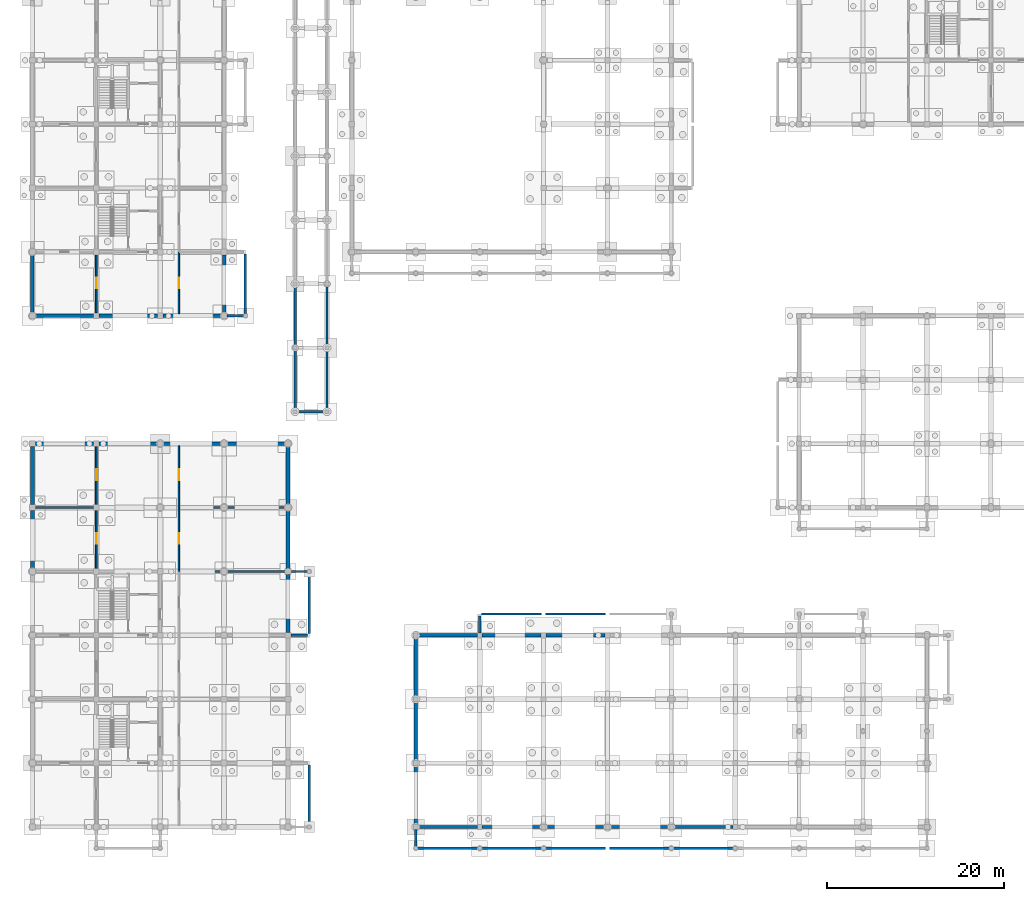
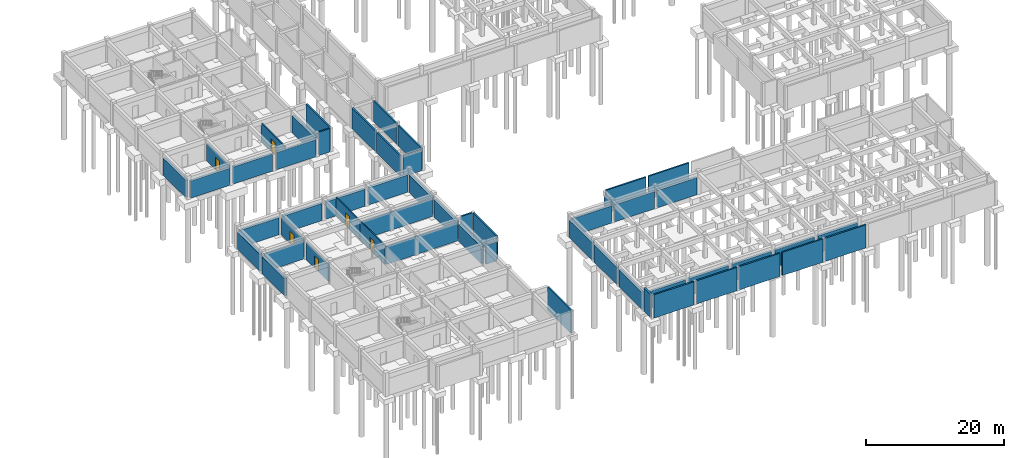
# One storey, part 25 of 38: 54 walls, 6 doors, 6 openings.
"""IFC4 building model written with IfcOpenShell, lengths in metres."""

from ifc_helpers import new_model, si_unit, direction, frame, frame_2d, origin, place, context, subcontext, project, spatial, rectangle, extrude, material, layer, layer_set, type_object, element, fill, save


model = new_model("IFC4")

# Units and contexts
model_context = context("Model", 3, precision=1e-05, world=origin(), true_north=direction((0.0, 1.0)))
body_context = subcontext(model_context, "Body", "Model", "MODEL_VIEW")
ifc_project = project(units=[si_unit("LENGTHUNIT", "METRE"), si_unit("AREAUNIT", "SQUARE_METRE"), si_unit("VOLUMEUNIT", "CUBIC_METRE"), si_unit("PLANEANGLEUNIT", "RADIAN"), si_unit("MASSUNIT", "GRAM", prefix="KILO"), si_unit("THERMODYNAMICTEMPERATUREUNIT", "KELVIN"), si_unit("POWERUNIT", "WATT")], contexts=[model_context])

# Site, building, storey
site_placement = place(None, origin())
site = spatial("IfcSite", under=ifc_project, at=site_placement, CompositionType="ELEMENT")
building_placement = place(site_placement, origin())
building = spatial("IfcBuilding", under=site, at=building_placement, Name="Tavuni Mirador Residences", CompositionType="ELEMENT")
storey_placement = place(building_placement, frame((0.0, 0.0, -4.199951171875)))
storey = spatial("IfcBuildingStorey", under=building, at=storey_placement, Name="B1", CompositionType="ELEMENT", Elevation=-4.199951171875)

# Wall, opening, door
ifc_material_1 = material(Name="Precast concrete C40/50", Category="concrete")
ifc_layer_1 = layer(ifc_material_1, 0.18505859375, Name="Precast concrete C40/50", Category="concrete")
ifc_layer_set_1 = layer_set([ifc_layer_1], Name="Precast concrete C40/50")
wall_type_1 = type_object("IfcWallType", Name="WT-CORR185", PredefinedType="PARTITIONING", material=ifc_layer_set_1)
wall_1_placement = place(storey_placement, frame((20.10009765625, 36.02001953125, 0.0), z_axis=(0.0, 0.0, 1.0), x_axis=(0.0, 1.0, 0.0)))
wall_1 = element("IfcWall", 1, at=wall_1_placement, inside=storey, type_object=wall_type_1, Name="CORW-BLK-A-B1-0-04", PredefinedType="PARTITIONING", context=body_context, shape_type="SweptSolid", body=[
    extrude(rectangle(XDim=7.159912109375, YDim=0.18505859375, at=frame_2d((3.580078125, 0.0))), origin(), (0.0, 0.0, 1.0), 3.31494140625),
])
opening_1_placement = place(wall_1_placement, frame((3.080078125, 0.0, 0.0)))
opening_1 = element("IfcOpeningElement", 2, at=opening_1_placement, cuts=wall_1, Name="Opening D-18", PredefinedType="OPENING", context=body_context, shape_type="SweptSolid", body=[
    extrude(rectangle(XDim=1.199951171875, YDim=2.199951171875, at=frame_2d((0.60009765625, 1.10009765625))), frame((0.0, 0.1025390625, 0.0), z_axis=(0.0, -1.0, 0.0), x_axis=(1.0, 0.0, 0.0)), (0.0, 0.0, 1.0), 0.205078125),
])
ifc_material_2 = material(Name="Structural steel S355", Category="steel")
door_type = type_object("IfcDoorType", Name="DT-PLT1200", OperationType="NOTDEFINED", PredefinedType="DOOR", material=ifc_material_2)
door_1_placement = place(opening_1_placement, origin())
door_1 = element("IfcDoor", 3, at=door_1_placement, inside=storey, type_object=door_type, Name="DR-2377", OperationType="SINGLE_SWING_RIGHT", OverallHeight=2.199951171875, OverallWidth=1.199951171875, PredefinedType="DOOR", context=body_context, shape_type="SweptSolid", body=[
    extrude(rectangle(XDim=1.199951171875, YDim=2.199951171875, at=frame_2d((0.60009765625, 1.10009765625))), frame((0.0, 0.02490234375, 0.0), z_axis=(0.0, -1.0, 0.0), x_axis=(1.0, 0.0, 0.0)), (0.0, 0.0, 1.0), 0.050048828125),
])
fill(opening_1, door_1)

wall_2_placement = place(storey_placement, frame((20.10009765625, 43.219970703125, 0.0), z_axis=(0.0, 0.0, 1.0), x_axis=(0.0, 1.0, 0.0)))
wall_2 = element("IfcWall", 4, at=wall_2_placement, inside=storey, type_object=wall_type_1, Name="CORW-BLK-A-B1-0-05", PredefinedType="PARTITIONING", context=body_context, shape_type="SweptSolid", body=[
    extrude(rectangle(XDim=6.965087890625, YDim=0.18505859375, at=frame_2d((3.482421875, 0.0))), origin(), (0.0, 0.0, 1.0), 3.31494140625),
])
opening_2_placement = place(wall_2_placement, frame((3.080078125, 0.0, 0.0)))
opening_2 = element("IfcOpeningElement", 5, at=opening_2_placement, cuts=wall_2, Name="Opening D-18", PredefinedType="OPENING", context=body_context, shape_type="SweptSolid", body=[
    extrude(rectangle(XDim=1.199951171875, YDim=2.199951171875, at=frame_2d((0.60009765625, 1.10009765625))), frame((0.0, 0.1025390625, 0.0), z_axis=(0.0, -1.0, 0.0), x_axis=(1.0, 0.0, 0.0)), (0.0, 0.0, 1.0), 0.205078125),
])
door_2_placement = place(opening_2_placement, origin())
door_2 = element("IfcDoor", 6, at=door_2_placement, inside=storey, type_object=door_type, Name="DR-2378", OperationType="SINGLE_SWING_LEFT", OverallHeight=2.199951171875, OverallWidth=1.199951171875, PredefinedType="DOOR", context=body_context, shape_type="SweptSolid", body=[
    extrude(rectangle(XDim=1.199951171875, YDim=2.199951171875, at=frame_2d((0.60009765625, 1.10009765625))), frame((0.0, 0.02490234375, 0.0), z_axis=(0.0, -1.0, 0.0), x_axis=(1.0, 0.0, 0.0)), (0.0, 0.0, 1.0), 0.050048828125),
])
fill(opening_2, door_2)

wall_3_placement = place(storey_placement, frame((10.800048828125, 36.35009765625, 0.0), z_axis=(0.0, 0.0, 1.0), x_axis=(0.0, 1.0, 0.0)))
wall_3 = element("IfcWall", 7, at=wall_3_placement, inside=storey, type_object=wall_type_1, Name="CORW-BLK-A-B1-1-04", PredefinedType="PARTITIONING", context=body_context, shape_type="SweptSolid", body=[
    extrude(rectangle(XDim=6.5, YDim=0.18505859375, at=frame_2d((3.25, 0.0))), origin(), (0.0, 0.0, 1.0), 3.079833984375),
])
opening_3_placement = place(wall_3_placement, frame((2.75, 0.0, 0.0)))
opening_3 = element("IfcOpeningElement", 8, at=opening_3_placement, cuts=wall_3, Name="Opening D-18", PredefinedType="OPENING", context=body_context, shape_type="SweptSolid", body=[
    extrude(rectangle(XDim=1.199951171875, YDim=2.199951171875, at=frame_2d((0.60009765625, 1.10009765625))), frame((0.0, 0.1025390625, 0.0), z_axis=(0.0, -1.0, 0.0), x_axis=(1.0, 0.0, 0.0)), (0.0, 0.0, 1.0), 0.205078125),
])
door_3_placement = place(opening_3_placement, origin())
door_3 = element("IfcDoor", 9, at=door_3_placement, inside=storey, type_object=door_type, Name="DR-2381", OperationType="SINGLE_SWING_RIGHT", OverallHeight=2.199951171875, OverallWidth=1.199951171875, PredefinedType="DOOR", context=body_context, shape_type="SweptSolid", body=[
    extrude(rectangle(XDim=1.199951171875, YDim=2.199951171875, at=frame_2d((0.60009765625, 1.10009765625))), frame((0.0, 0.02490234375, 0.0), z_axis=(0.0, -1.0, 0.0), x_axis=(1.0, 0.0, 0.0)), (0.0, 0.0, 1.0), 0.050048828125),
])
fill(opening_3, door_3)

wall_4_placement = place(storey_placement, frame((10.800048828125, 43.550048828125, 0.0), z_axis=(0.0, 0.0, 1.0), x_axis=(0.0, 1.0, 0.0)))
wall_4 = element("IfcWall", 10, at=wall_4_placement, inside=storey, type_object=wall_type_1, Name="CORW-BLK-A-B1-1-05", PredefinedType="PARTITIONING", context=body_context, shape_type="SweptSolid", body=[
    extrude(rectangle(XDim=6.5, YDim=0.18505859375, at=frame_2d((3.25, 0.0))), origin(), (0.0, 0.0, 1.0), 3.079833984375),
])
opening_4_placement = place(wall_4_placement, frame((2.75, 0.0, 0.0)))
opening_4 = element("IfcOpeningElement", 11, at=opening_4_placement, cuts=wall_4, Name="Opening D-18", PredefinedType="OPENING", context=body_context, shape_type="SweptSolid", body=[
    extrude(rectangle(XDim=1.199951171875, YDim=2.199951171875, at=frame_2d((0.60009765625, 1.10009765625))), frame((0.0, 0.1025390625, 0.0), z_axis=(0.0, -1.0, 0.0), x_axis=(1.0, 0.0, 0.0)), (0.0, 0.0, 1.0), 0.205078125),
])
door_4_placement = place(opening_4_placement, origin())
door_4 = element("IfcDoor", 12, at=door_4_placement, inside=storey, type_object=door_type, Name="DR-2382", OperationType="SINGLE_SWING_LEFT", OverallHeight=2.199951171875, OverallWidth=1.199951171875, PredefinedType="DOOR", context=body_context, shape_type="SweptSolid", body=[
    extrude(rectangle(XDim=1.199951171875, YDim=2.199951171875, at=frame_2d((0.60009765625, 1.10009765625))), frame((0.0, 0.02490234375, 0.0), z_axis=(0.0, -1.0, 0.0), x_axis=(1.0, 0.0, 0.0)), (0.0, 0.0, 1.0), 0.050048828125),
])
fill(opening_4, door_4)

wall_5_placement = place(storey_placement, frame((20.10009765625, 65.014892578125, 0.0), z_axis=(0.0, 0.0, 1.0), x_axis=(0.0, 1.0, 0.0)))
wall_5 = element("IfcWall", 13, at=wall_5_placement, inside=storey, type_object=wall_type_1, Name="CORW-BLK-B-B1-0-00", PredefinedType="PARTITIONING", context=body_context, shape_type="SweptSolid", body=[
    extrude(rectangle(XDim=6.965087890625, YDim=0.18505859375, at=frame_2d((3.482421875, 0.0))), origin(), (0.0, 0.0, 1.0), 3.31494140625),
])
opening_5_placement = place(wall_5_placement, frame((2.885009765625, 0.0, 0.0)))
opening_5 = element("IfcOpeningElement", 14, at=opening_5_placement, cuts=wall_5, Name="Opening D-18", PredefinedType="OPENING", context=body_context, shape_type="SweptSolid", body=[
    extrude(rectangle(XDim=1.199951171875, YDim=2.199951171875, at=frame_2d((0.60009765625, 1.10009765625))), frame((0.0, 0.1025390625, 0.0), z_axis=(0.0, -1.0, 0.0), x_axis=(1.0, 0.0, 0.0)), (0.0, 0.0, 1.0), 0.205078125),
])
door_5_placement = place(opening_5_placement, origin())
door_5 = element("IfcDoor", 15, at=door_5_placement, inside=storey, type_object=door_type, Name="DR-2521", OperationType="SINGLE_SWING_RIGHT", OverallHeight=2.199951171875, OverallWidth=1.199951171875, PredefinedType="DOOR", context=body_context, shape_type="SweptSolid", body=[
    extrude(rectangle(XDim=1.199951171875, YDim=2.199951171875, at=frame_2d((0.60009765625, 1.10009765625))), frame((0.0, 0.02490234375, 0.0), z_axis=(0.0, -1.0, 0.0), x_axis=(1.0, 0.0, 0.0)), (0.0, 0.0, 1.0), 0.050048828125),
])
fill(opening_5, door_5)

wall_6_placement = place(storey_placement, frame((10.800048828125, 65.14990234375, 0.0), z_axis=(0.0, 0.0, 1.0), x_axis=(0.0, 1.0, 0.0)))
wall_6 = element("IfcWall", 16, at=wall_6_placement, inside=storey, type_object=wall_type_1, Name="CORW-BLK-B-B1-1-00", PredefinedType="PARTITIONING", context=body_context, shape_type="SweptSolid", body=[
    extrude(rectangle(XDim=6.5, YDim=0.18505859375, at=frame_2d((3.25, 0.0))), origin(), (0.0, 0.0, 1.0), 3.079833984375),
])
opening_6_placement = place(wall_6_placement, frame((2.75, 0.0, 0.0)))
opening_6 = element("IfcOpeningElement", 17, at=opening_6_placement, cuts=wall_6, Name="Opening D-18", PredefinedType="OPENING", context=body_context, shape_type="SweptSolid", body=[
    extrude(rectangle(XDim=1.199951171875, YDim=2.199951171875, at=frame_2d((0.60009765625, 1.10009765625))), frame((0.0, 0.1025390625, 0.0), z_axis=(0.0, -1.0, 0.0), x_axis=(1.0, 0.0, 0.0)), (0.0, 0.0, 1.0), 0.205078125),
])
door_6_placement = place(opening_6_placement, origin())
door_6 = element("IfcDoor", 18, at=door_6_placement, inside=storey, type_object=door_type, Name="DR-2526", OperationType="SINGLE_SWING_LEFT", OverallHeight=2.199951171875, OverallWidth=1.199951171875, PredefinedType="DOOR", context=body_context, shape_type="SweptSolid", body=[
    extrude(rectangle(XDim=1.199951171875, YDim=2.199951171875, at=frame_2d((0.60009765625, 1.10009765625))), frame((0.0, 0.02490234375, 0.0), z_axis=(0.0, -1.0, 0.0), x_axis=(1.0, 0.0, 0.0)), (0.0, 0.0, 1.0), 0.050048828125),
])
fill(opening_6, door_6)

# Walls
ifc_material_3 = material(Name="In-situ concrete C35/45", Category="concrete")
ifc_layer_2 = layer(ifc_material_3, 0.3798828125, Name="In-situ concrete C35/45", Category="concrete")
ifc_layer_set_2 = layer_set([ifc_layer_2], Name="In-situ concrete C35/45")
wall_type_2 = type_object("IfcWallType", Name="WT-RET380", PredefinedType="USERDEFINED", material=ifc_layer_set_2)
for number, where, z_axis, x_axis, name in (
    (19, (47.074951171875, 7.199951171875, 0.0), (0.0, 0.0, 1.0), (1.0, 0.0, 0.0), "RET-PAV-SHOP-S-00"),
    (20, (53.72509765625, 28.800048828125, 0.0), (0.0, 0.0, 1.0), (-1.0, 0.0, 0.0), "RET-PAV-SHOP-N-00"),
    (21, (54.27490234375, 7.199951171875, 0.0), (0.0, 0.0, 1.0), (1.0, 0.0, 0.0), "RET-PAV-SHOP-S-01"),
    (22, (60.925048828125, 28.800048828125, 0.0), (0.0, 0.0, 1.0), (-1.0, 0.0, 0.0), "RET-PAV-SHOP-N-01"),
):
    element("IfcWall", number, at=place(storey_placement, frame(where, z_axis=z_axis, x_axis=x_axis)), inside=storey, type_object=wall_type_2, Name=name, ObjectType="RETAINING WALL", PredefinedType="USERDEFINED", context=body_context, shape_type="SweptSolid", body=[
        extrude(rectangle(XDim=6.650146484375, YDim=0.3798828125, at=frame_2d((3.3251953125, 0.0))), origin(), (0.0, 0.0, 1.0), 3.050048828125),
    ])
for number, where, z_axis, x_axis, name in (
    (23, (61.47509765625, 7.199951171875, 0.0), (0.0, 0.0, 1.0), (1.0, 0.0, 0.0), "RET-PAV-SHOP-S-02"),
    (24, (68.125, 28.800048828125, 0.0), (0.0, 0.0, 1.0), (-1.0, 0.0, 0.0), "RET-PAV-SHOP-N-02"),
    (25, (68.675048828125, 7.199951171875, 0.0), (0.0, 0.0, 1.0), (1.0, 0.0, 0.0), "RET-PAV-SHOP-S-03"),
    (26, (75.875, 7.199951171875, 0.0), (0.0, 0.0, 1.0), (1.0, 0.0, 0.0), "RET-PAV-SHOP-S-04"),
    (27, (46.800048828125, 14.125, 0.0), (0.0, 0.0, 1.0), (0.0, -1.0, 0.0), "RET-PAV-SHOP-W-00"),
    (28, (46.800048828125, 21.324951171875, 0.0), (0.0, 0.0, 1.0), (0.0, -1.0, 0.0), "RET-PAV-SHOP-W-01"),
    (29, (46.800048828125, 28.52490234375, 0.0), (0.0, 0.0, 1.0), (0.0, -1.0, 0.0), "RET-PAV-SHOP-W-02"),
):
    element("IfcWall", number, at=place(storey_placement, frame(where, z_axis=z_axis, x_axis=x_axis)), inside=storey, type_object=wall_type_2, Name=name, ObjectType="RETAINING WALL", PredefinedType="USERDEFINED", context=body_context, shape_type="SweptSolid", body=[
        extrude(rectangle(XDim=6.64990234375, YDim=0.3798828125, at=frame_2d((3.324951171875, 0.0))), origin(), (0.0, 0.0, 1.0), 3.050048828125),
    ])
for number, where, z_axis, x_axis, name in (
    (30, (3.925048828125, 64.800048828125, 0.0), (0.0, 0.0, 1.0), (1.0, 0.0, 0.0), "RET-BLK-B-S-00"),
    (31, (11.125, 64.800048828125, 0.0), (0.0, 0.0, 1.0), (1.0, 0.0, 0.0), "RET-BLK-B-S-01"),
    (32, (18.324951171875, 64.800048828125, 0.0), (0.0, 0.0, 1.0), (1.0, 0.0, 0.0), "RET-BLK-B-S-02"),
    (33, (25.199951171875, 65.125, 0.0), (0.0, 0.0, 1.0), (0.0, 1.0, 0.0), "RET-BLK-B-E-00"),
    (34, (3.60009765625, 71.675048828125, 0.0), (0.0, 0.0, 1.0), (0.0, -1.0, 0.0), "RET-BLK-B-W-00"),
):
    element("IfcWall", number, at=place(storey_placement, frame(where, z_axis=z_axis, x_axis=x_axis)), inside=storey, type_object=wall_type_2, Name=name, ObjectType="RETAINING WALL", PredefinedType="USERDEFINED", context=body_context, shape_type="SweptSolid", body=[
        extrude(rectangle(XDim=6.550048828125, YDim=0.3798828125, at=frame_2d((3.27490234375, 0.0))), origin(), (0.0, 0.0, 1.0), 3.030029296875),
    ])
ifc_layer_3 = layer(ifc_material_3, 0.419921875, Name="In-situ concrete C35/45", Category="concrete")
ifc_layer_set_3 = layer_set([ifc_layer_3], Name="In-situ concrete C35/45")
wall_type_3 = type_object("IfcWallType", Name="WT-RET420", PredefinedType="USERDEFINED", material=ifc_layer_set_3)
for number, where, z_axis, x_axis, name in (
    (35, (10.47509765625, 50.39990234375, 0.0), (0.0, 0.0, 1.0), (-1.0, 0.0, 0.0), "RET-BLK-A-N-00"),
    (36, (17.675048828125, 50.39990234375, 0.0), (0.0, 0.0, 1.0), (-1.0, 0.0, 0.0), "RET-BLK-A-N-01"),
    (37, (24.875, 50.39990234375, 0.0), (0.0, 0.0, 1.0), (-1.0, 0.0, 0.0), "RET-BLK-A-N-02"),
    (38, (32.074951171875, 50.39990234375, 0.0), (0.0, 0.0, 1.0), (-1.0, 0.0, 0.0), "RET-BLK-A-N-03"),
    (39, (32.39990234375, 29.125, 0.0), (0.0, 0.0, 1.0), (0.0, 1.0, 0.0), "RET-BLK-A-E-03"),
    (40, (32.39990234375, 36.324951171875, 0.0), (0.0, 0.0, 1.0), (0.0, 1.0, 0.0), "RET-BLK-A-E-04"),
    (41, (3.60009765625, 42.875, 0.0), (0.0, 0.0, 1.0), (0.0, -1.0, 0.0), "RET-BLK-A-W-04"),
    (42, (32.39990234375, 43.52490234375, 0.0), (0.0, 0.0, 1.0), (0.0, 1.0, 0.0), "RET-BLK-A-E-05"),
    (43, (3.60009765625, 50.074951171875, 0.0), (0.0, 0.0, 1.0), (0.0, -1.0, 0.0), "RET-BLK-A-W-05"),
):
    element("IfcWall", number, at=place(storey_placement, frame(where, z_axis=z_axis, x_axis=x_axis)), inside=storey, type_object=wall_type_3, Name=name, ObjectType="RETAINING WALL", PredefinedType="USERDEFINED", context=body_context, shape_type="SweptSolid", body=[
        extrude(rectangle(XDim=6.550048828125, YDim=0.419921875, at=frame_2d((3.27490234375, 0.0))), origin(), (0.0, 0.0, 1.0), 3.030029296875),
    ])
ifc_layer_4 = layer(ifc_material_1, 0.264892578125, Name="Precast concrete C40/50", Category="concrete")
ifc_layer_set_4 = layer_set([ifc_layer_4], Name="Precast concrete C40/50")
wall_type_4 = type_object("IfcWallType", Name="WT-XW265", PredefinedType="SOLIDWALL", material=ifc_layer_set_4)
wall_7_placement = place(storey_placement, frame((33.409912109375, 54.0, 0.0), z_axis=(0.0, 0.0, 1.0), x_axis=(1.0, 0.0, 0.0)))
element("IfcWall", 44, at=wall_7_placement, inside=storey, type_object=wall_type_4, Name="RET-PAV-COL-S-00", PredefinedType="SOLIDWALL", context=body_context, shape_type="SweptSolid", body=[
    extrude(rectangle(XDim=3.18017578125, YDim=0.264892578125, at=frame_2d((1.590087890625, 0.0))), origin(), (0.0, 0.0, 1.0), 3.64990234375),
])
for number, where, z_axis, x_axis, name in (
    (45, (36.800048828125, 54.2099609375, 0.0), (0.0, 0.0, 1.0), (0.0, 1.0, 0.0), "RET-PAV-COL-E-00"),
    (46, (33.199951171875, 60.989990234375, 0.0), (0.0, 0.0, 1.0), (0.0, -1.0, 0.0), "RET-PAV-COL-W-00"),
    (47, (36.800048828125, 61.409912109375, 0.0), (0.0, 0.0, 1.0), (0.0, 1.0, 0.0), "RET-PAV-COL-E-01"),
    (48, (33.199951171875, 68.18994140625, 0.0), (0.0, 0.0, 1.0), (0.0, -1.0, 0.0), "RET-PAV-COL-W-01"),
):
    element("IfcWall", number, at=place(storey_placement, frame(where, z_axis=z_axis, x_axis=x_axis)), inside=storey, type_object=wall_type_4, Name=name, PredefinedType="SOLIDWALL", context=body_context, shape_type="SweptSolid", body=[
        extrude(rectangle(XDim=6.780029296875, YDim=0.264892578125, at=frame_2d((3.39013671875, 0.0))), origin(), (0.0, 0.0, 1.0), 3.64990234375),
    ])
wall_8_placement = place(storey_placement, frame((34.800048828125, 7.409912109375, 0.0), z_axis=(0.0, 0.0, 1.0), x_axis=(0.0, 1.0, 0.0)))
element("IfcWall", 49, at=wall_8_placement, inside=storey, type_object=wall_type_4, Name="RET-APR-BLKA-E1-E0", PredefinedType="SOLIDWALL", context=body_context, shape_type="SweptSolid", body=[
    extrude(rectangle(XDim=6.780029296875, YDim=0.264892578125, at=frame_2d((3.39013671875, 0.0))), origin(), (0.0, 0.0, 1.0), 4.119873046875),
])
wall_9_placement = place(storey_placement, frame((32.72509765625, 28.800048828125, 0.0), z_axis=(0.0, 0.0, 1.0), x_axis=(1.0, 0.0, 0.0)))
element("IfcWall", 50, at=wall_9_placement, inside=storey, type_object=wall_type_4, Name="RET-APR-BLKA-E2-S0", PredefinedType="SOLIDWALL", context=body_context, shape_type="SweptSolid", body=[
    extrude(rectangle(XDim=1.864990234375, YDim=0.264892578125, at=frame_2d((0.9326171875, 0.0))), origin(), (0.0, 0.0, 1.0), 3.349853515625),
])
wall_10_placement = place(storey_placement, frame((34.800048828125, 29.010009765625, 0.0), z_axis=(0.0, 0.0, 1.0), x_axis=(0.0, 1.0, 0.0)))
element("IfcWall", 51, at=wall_10_placement, inside=storey, type_object=wall_type_4, Name="RET-APR-BLKA-E2-E0", PredefinedType="SOLIDWALL", context=body_context, shape_type="SweptSolid", body=[
    extrude(rectangle(XDim=6.780029296875, YDim=0.264892578125, at=frame_2d((3.39013671875, 0.0))), origin(), (0.0, 0.0, 1.0), 4.119873046875),
])
for number, where, z_axis, x_axis, name in (
    (52, (34.590087890625, 36.0, 0.0), (0.0, 0.0, 1.0), (-1.0, 0.0, 0.0), "RET-APR-BLKA-E2-N0"),
    (53, (25.52490234375, 64.800048828125, 0.0), (0.0, 0.0, 1.0), (1.0, 0.0, 0.0), "RET-APR-BLKB-E1-S0"),
):
    element("IfcWall", number, at=place(storey_placement, frame(where, z_axis=z_axis, x_axis=x_axis)), inside=storey, type_object=wall_type_4, Name=name, PredefinedType="SOLIDWALL", context=body_context, shape_type="SweptSolid", body=[
        extrude(rectangle(XDim=1.864990234375, YDim=0.264892578125, at=frame_2d((0.9326171875, 0.0))), origin(), (0.0, 0.0, 1.0), 4.119873046875),
    ])
for number, where, z_axis, x_axis, name in (
    (54, (27.60009765625, 65.010009765625, 0.0), (0.0, 0.0, 1.0), (0.0, 1.0, 0.0), "RET-APR-BLKB-E1-E0"),
    (55, (47.010009765625, 4.800048828125, 0.0), (0.0, 0.0, 1.0), (1.0, 0.0, 0.0), "RET-APR-SHOP-S-S0"),
    (56, (54.2099609375, 4.800048828125, 0.0), (0.0, 0.0, 1.0), (1.0, 0.0, 0.0), "RET-APR-SHOP-S-S1"),
    (57, (61.409912109375, 4.800048828125, 0.0), (0.0, 0.0, 1.0), (1.0, 0.0, 0.0), "RET-APR-SHOP-S-S2"),
):
    element("IfcWall", number, at=place(storey_placement, frame(where, z_axis=z_axis, x_axis=x_axis)), inside=storey, type_object=wall_type_4, Name=name, PredefinedType="SOLIDWALL", context=body_context, shape_type="SweptSolid", body=[
        extrude(rectangle(XDim=6.780029296875, YDim=0.264892578125, at=frame_2d((3.39013671875, 0.0))), origin(), (0.0, 0.0, 1.0), 4.119873046875),
    ])
wall_11_placement = place(storey_placement, frame((68.610107421875, 4.800048828125, 0.0), z_axis=(0.0, 0.0, 1.0), x_axis=(1.0, 0.0, 0.0)))
element("IfcWall", 58, at=wall_11_placement, inside=storey, type_object=wall_type_4, Name="RET-APR-SHOP-S-S3", PredefinedType="SOLIDWALL", context=body_context, shape_type="SweptSolid", body=[
    extrude(rectangle(XDim=6.77978515625, YDim=0.264892578125, at=frame_2d((3.389892578125, 0.0))), origin(), (0.0, 0.0, 1.0), 4.119873046875),
])
wall_12_placement = place(storey_placement, frame((75.81005859375, 4.800048828125, 0.0), z_axis=(0.0, 0.0, 1.0), x_axis=(1.0, 0.0, 0.0)))
element("IfcWall", 59, at=wall_12_placement, inside=storey, type_object=wall_type_4, Name="RET-APR-SHOP-S-S4", PredefinedType="SOLIDWALL", context=body_context, shape_type="SweptSolid", body=[
    extrude(rectangle(XDim=6.780029296875, YDim=0.264892578125, at=frame_2d((3.39013671875, 0.0))), origin(), (0.0, 0.0, 1.0), 4.119873046875),
])
wall_13_placement = place(storey_placement, frame((46.800048828125, 6.925048828125, 0.0), z_axis=(0.0, 0.0, 1.0), x_axis=(0.0, -1.0, 0.0)))
element("IfcWall", 60, at=wall_13_placement, inside=storey, type_object=wall_type_4, Name="RET-APR-SHOP-S-W0", PredefinedType="SOLIDWALL", context=body_context, shape_type="SweptSolid", body=[
    extrude(rectangle(XDim=1.9150390625, YDim=0.264892578125, at=frame_2d((0.95751953125, 0.0))), origin(), (0.0, 0.0, 1.0), 4.119873046875),
])
for number, where, z_axis, x_axis, name in (
    (61, (68.18994140625, 31.199951171875, 0.0), (0.0, 0.0, 1.0), (-1.0, 0.0, 0.0), "RET-APR-SHOP-N-N1"),
    (62, (60.989990234375, 31.199951171875, 0.0), (0.0, 0.0, 1.0), (-1.0, 0.0, 0.0), "RET-APR-SHOP-N-N2"),
):
    element("IfcWall", number, at=place(storey_placement, frame(where, z_axis=z_axis, x_axis=x_axis)), inside=storey, type_object=wall_type_4, Name=name, PredefinedType="SOLIDWALL", context=body_context, shape_type="SweptSolid", body=[
        extrude(rectangle(XDim=6.780029296875, YDim=0.264892578125, at=frame_2d((3.39013671875, 0.0))), origin(), (0.0, 0.0, 1.0), 4.119873046875),
    ])
wall_14_placement = place(storey_placement, frame((54.0, 30.989990234375, 0.0), z_axis=(0.0, 0.0, 1.0), x_axis=(0.0, -1.0, 0.0)))
element("IfcWall", 63, at=wall_14_placement, inside=storey, type_object=wall_type_4, Name="RET-APR-SHOP-N-W0", PredefinedType="SOLIDWALL", context=body_context, shape_type="SweptSolid", body=[
    extrude(rectangle(XDim=1.9150390625, YDim=0.264892578125, at=frame_2d((0.95751953125, 0.0))), origin(), (0.0, 0.0, 1.0), 3.349853515625),
])
wall_15_placement = place(storey_placement, frame((20.10009765625, 36.0, 0.0), z_axis=(0.0, 0.0, 1.0), x_axis=(1.0, 0.0, 0.0)))
element("IfcWall", 64, at=wall_15_placement, inside=storey, type_object=wall_type_4, Name="XW-BLK-A-B1-E-04", PredefinedType="SOLIDWALL", context=body_context, shape_type="SweptSolid", body=[
    extrude(rectangle(XDim=11.974853515625, YDim=0.264892578125, at=frame_2d((5.9873046875, 0.0))), origin(), (0.0, 0.0, 1.0), 3.179931640625),
])
wall_16_placement = place(storey_placement, frame((3.925048828125, 43.199951171875, 0.0), z_axis=(0.0, 0.0, 1.0), x_axis=(1.0, 0.0, 0.0)))
element("IfcWall", 65, at=wall_16_placement, inside=storey, type_object=wall_type_4, Name="XW-BLK-A-B1-W-05", PredefinedType="SOLIDWALL", context=body_context, shape_type="SweptSolid", body=[
    extrude(rectangle(XDim=6.550048828125, YDim=0.264892578125, at=frame_2d((3.27490234375, 0.0))), origin(), (0.0, 0.0, 1.0), 3.179931640625),
])
wall_17_placement = place(storey_placement, frame((20.10009765625, 43.199951171875, 0.0), z_axis=(0.0, 0.0, 1.0), x_axis=(1.0, 0.0, 0.0)))
element("IfcWall", 66, at=wall_17_placement, inside=storey, type_object=wall_type_4, Name="XW-BLK-A-B1-E-05", PredefinedType="SOLIDWALL", context=body_context, shape_type="SweptSolid", body=[
    extrude(rectangle(XDim=11.974853515625, YDim=0.264892578125, at=frame_2d((5.9873046875, 0.0))), origin(), (0.0, 0.0, 1.0), 3.179931640625),
])

save(model, "model.ifc")
